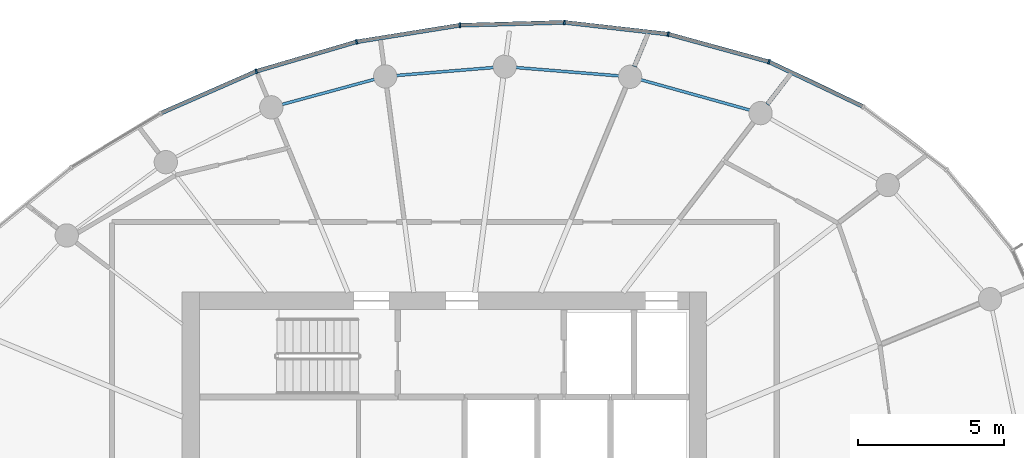
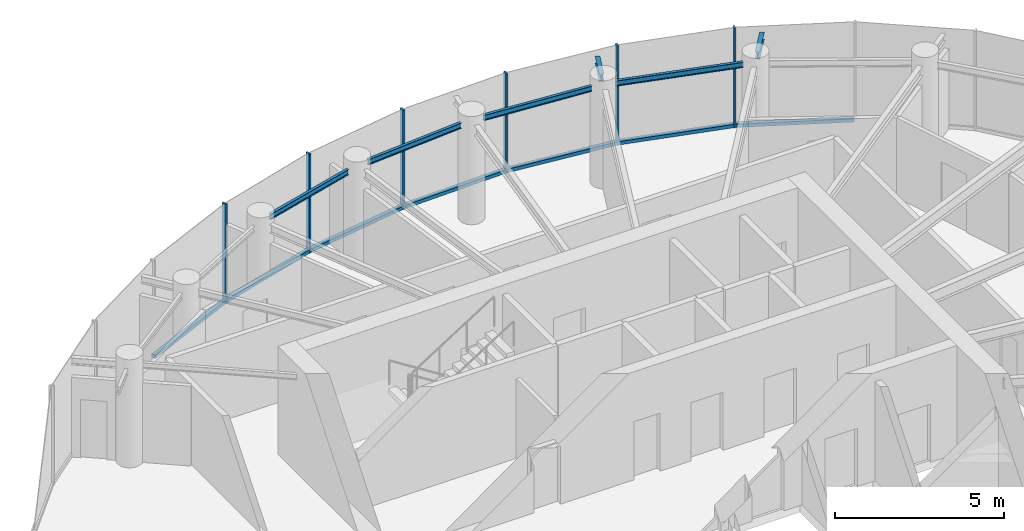
# One storey, part 6 of 13: 13 members, 6 beams, 2 elements without a shape of their own.
"""IFC4 building model written with IfcOpenShell, lengths in metres."""

import ifcopenshell
import ifcopenshell.guid

model = None  # the IFC model being written
_history = None  # IfcOwnerHistory: only IFC2X3 demands one
_inside = {}  # id of a spatial element -> (the spatial element, [elements in it])
_under = {}  # id of a project, library or spatial element -> (it, [spatial elements below it])
_declared = {}  # id of a project -> (the project, [libraries it declares])
_typed = {}  # id of a type object -> (the type object, [elements of that type])
_made_of = {}  # id of a material, layer set ... -> (it, [elements and type objects made of it])


def new_model(schema):
    """Start an empty IFC model of exactly this schema.

    Asked for "IFC4X3", IfcOpenShell would pick the latest addendum, in which some entities
    have other attributes; the version numbers below select the first issue.
    IFC2X3 requires an IfcOwnerHistory on every rooted entity: one is made here for all.
    """
    global model, _history
    if schema == "IFC4X3":
        model = ifcopenshell.file(schema_version=(4, 3, 0, 0))
    else:
        model = ifcopenshell.file(schema=schema)
    _inside.clear()
    _under.clear()
    _declared.clear()
    _typed.clear()
    _made_of.clear()
    _history = None
    if model.schema == "IFC2X3":
        org = make("IfcOrganization", Name="unknown")
        user = make(
            "IfcPersonAndOrganization",
            ThePerson=make("IfcPerson", FamilyName="unknown"),
            TheOrganization=org,
        )
        app = make(
            "IfcApplication",
            ApplicationDeveloper=org,
            Version="unknown",
            ApplicationFullName="unknown",
            ApplicationIdentifier="unknown",
        )
        _history = make(
            "IfcOwnerHistory",
            OwningUser=user,
            OwningApplication=app,
            ChangeAction="ADDED",
            CreationDate=0,
        )
    return model


def make(cls, **values):
    """One entity of the class cls with the attributes given. An attribute that is None is left unset."""
    return model.create_entity(
        cls, **{name: value for name, value in values.items() if value is not None}
    )


def rooted(cls, **values):
    """An entity with a GlobalId (a new one), such as an element, a storey or a relation."""
    return make(cls, GlobalId=ifcopenshell.guid.new(), OwnerHistory=_history, **values)


def si_unit(unit_type, name, prefix=None):
    """IfcSIUnit, for example si_unit("LENGTHUNIT", "METRE", prefix="MILLI")."""
    return make("IfcSIUnit", UnitType=unit_type, Prefix=prefix, Name=name)


def assignment(units):
    """IfcUnitAssignment: the units of a project."""
    return None if units is None else make("IfcUnitAssignment", Units=units)


def point(xyz):
    """IfcCartesianPoint."""
    return None if xyz is None else make("IfcCartesianPoint", Coordinates=xyz)


def direction(xyz):
    """IfcDirection."""
    return None if xyz is None else make("IfcDirection", DirectionRatios=xyz)


def frame(location, z_axis=None, x_axis=None):
    """IfcAxis2Placement3D, a coordinate frame: its origin and axes. An axis left out is left unset."""
    return make(
        "IfcAxis2Placement3D",
        Location=point(location),
        Axis=direction(z_axis),
        RefDirection=direction(x_axis),
    )


def frame_2d(location, x_axis=None):
    """IfcAxis2Placement2D, a coordinate frame in the plane: its origin and x axis."""
    return make(
        "IfcAxis2Placement2D", Location=point(location), RefDirection=direction(x_axis)
    )


def origin():
    """The frame at (0, 0, 0) with its axes left unset."""
    return frame((0.0, 0.0, 0.0))


def origin_2d():
    """The frame at (0, 0) in the plane with its x axis left unset."""
    return frame_2d((0.0, 0.0))


def place(relative_to, where):
    """IfcLocalPlacement: puts the frame where relative to a parent placement (None: the world)."""
    return make(
        "IfcLocalPlacement", PlacementRelTo=relative_to, RelativePlacement=where
    )


def context(
    kind, dimensions, precision=None, world=None, true_north=None, identifier=None
):
    """IfcGeometricRepresentationContext, for example the 3D "Model" context."""
    return make(
        "IfcGeometricRepresentationContext",
        ContextIdentifier=identifier,
        ContextType=kind,
        CoordinateSpaceDimension=dimensions,
        Precision=precision,
        WorldCoordinateSystem=world,
        TrueNorth=true_north,
    )


def subcontext(parent, identifier, kind, view, scale=None):
    """IfcGeometricRepresentationSubContext, for example "Body" below "Model"."""
    return make(
        "IfcGeometricRepresentationSubContext",
        ContextIdentifier=identifier,
        ContextType=kind,
        ParentContext=parent,
        TargetScale=scale,
        TargetView=view,
    )


def project(units=None, contexts=None):
    """IfcProject with its units and contexts."""
    return rooted(
        "IfcProject",
        Name="project",
        RepresentationContexts=contexts,
        UnitsInContext=assignment(units),
    )


def spatial(cls, under=None, at=None, **own):
    """A site, building, storey or space (cls), placed at a placement, below another one or the project."""
    s = rooted(cls, ObjectPlacement=at, **own)
    if under is not None:
        _under.setdefault(under.id(), (under, []))[1].append(s)
    return s


def profile(cls, at=None, kind="AREA", **sizes):
    """A parametric profile (cls). Its sizes go by their IFC names, for example OverallWidth=200.0."""
    return make(cls, ProfileType=kind, Position=at, **sizes)


def rectangle(**sizes):
    """IfcRectangleProfileDef."""
    return profile("IfcRectangleProfileDef", **sizes)


def i_section(**sizes):
    """IfcIShapeProfileDef."""
    return profile("IfcIShapeProfileDef", **sizes)


def extrude(swept, where, along, depth):
    """IfcExtrudedAreaSolid: the profile swept, set in the frame where, extruded along a direction by depth."""
    return make(
        "IfcExtrudedAreaSolid",
        SweptArea=swept,
        Position=where,
        ExtrudedDirection=direction(along),
        Depth=depth,
    )


def shape(context_of_items, identifier, shape_type, items):
    """IfcShapeRepresentation: the items that make up one representation, for example the "Body"."""
    return make(
        "IfcShapeRepresentation",
        ContextOfItems=context_of_items,
        RepresentationIdentifier=identifier,
        RepresentationType=shape_type,
        Items=items,
    )


def source(mapping_origin, context_of_items, identifier, shape_type, items):
    """IfcRepresentationMap: a shape defined once, which mapped items show again and again."""
    return make(
        "IfcRepresentationMap",
        MappingOrigin=mapping_origin,
        MappedRepresentation=shape(context_of_items, identifier, shape_type, items),
    )


def transform(
    local_origin,
    x_axis=None,
    y_axis=None,
    z_axis=None,
    scale=None,
    scale2=None,
    scale3=None,
    uniform=True,
):
    """IfcCartesianTransformationOperator3D, or its non-uniform kind. x_axis, y_axis, z_axis: its Axis1, 2, 3."""
    if uniform:
        return make(
            "IfcCartesianTransformationOperator3D",
            Axis1=direction(x_axis),
            Axis2=direction(y_axis),
            LocalOrigin=point(local_origin),
            Scale=scale,
            Axis3=direction(z_axis),
        )
    return make(
        "IfcCartesianTransformationOperator3DnonUniform",
        Axis1=direction(x_axis),
        Axis2=direction(y_axis),
        LocalOrigin=point(local_origin),
        Scale=scale,
        Axis3=direction(z_axis),
        Scale2=scale2,
        Scale3=scale3,
    )


def mapped(mapping_source, mapping_target):
    """IfcMappedItem: shows the shape of a source again, moved by a transform."""
    return make(
        "IfcMappedItem", MappingSource=mapping_source, MappingTarget=mapping_target
    )


def material(Name=None, Category=None):
    """IfcMaterial."""
    return make("IfcMaterial", Name=Name, Category=Category)


def layer(
    of_material, thickness, ventilated=None, Name=None, Category=None, Priority=None
):
    """IfcMaterialLayer: one layer of a wall or slab, of a material (None: an air gap)."""
    return make(
        "IfcMaterialLayer",
        Material=of_material,
        LayerThickness=thickness,
        IsVentilated=ventilated,
        Name=Name,
        Category=Category,
        Priority=Priority,
    )


def layer_set(layers, Name=None):
    """IfcMaterialLayerSet."""
    return make("IfcMaterialLayerSet", MaterialLayers=layers, LayerSetName=Name)


def material_profile(
    of_material, cross_section, Name=None, Category=None, Priority=None
):
    """IfcMaterialProfile: a cross section and its material."""
    return make(
        "IfcMaterialProfile",
        Name=Name,
        Material=of_material,
        Profile=cross_section,
        Priority=Priority,
        Category=Category,
    )


def profile_set(profiles, Name=None, composite=None):
    """IfcMaterialProfileSet."""
    return make(
        "IfcMaterialProfileSet",
        Name=Name,
        MaterialProfiles=profiles,
        CompositeProfile=composite,
    )


def made_of(thing, what):
    """Note that an element or type object is made of a material, layer set ...; save() writes the relation."""
    if what is not None:
        _made_of.setdefault(what.id(), (what, []))[1].append(thing)
    return thing


def type_object(cls, material=None, **own):
    """A type object (cls), such as IfcWallType, which elements share."""
    return made_of(rooted(cls, **own), material)


def element(
    cls,
    number,
    at=None,
    inside=None,
    cuts=None,
    type_object=None,
    material=None,
    context=None,
    identifier="Body",
    shape_type=None,
    held_by="IfcProductDefinitionShape",
    body=None,
    shapes=None,
    **own,
):
    """One element of the class cls, such as IfcWall. Its Tag is "e" and its number.

    at: its placement. inside: the storey or other place that contains it. cuts: it is an
    opening in that element (IfcRelVoidsElement). A single representation is given by context,
    identifier, shape_type and body (its items); several are given by shapes. held_by: the class
    of the entity that holds the representations. save() writes the other relations.
    """
    e = rooted(cls, Tag="e%d" % number, ObjectPlacement=at, **own)
    if body is not None:
        shapes = [shape(context, identifier, shape_type, body)]
    if shapes is not None:
        e.Representation = make(held_by, Representations=shapes)
    if inside is not None:
        _inside.setdefault(inside.id(), (inside, []))[1].append(e)
    if cuts is not None:
        rooted(
            "IfcRelVoidsElement", RelatingBuildingElement=cuts, RelatedOpeningElement=e
        )
    if type_object is not None:
        _typed.setdefault(type_object.id(), (type_object, []))[1].append(e)
    return made_of(e, material)


def aggregate(whole, parts):
    """IfcRelAggregates: a whole, such as a stair, and the parts it consists of."""
    return rooted("IfcRelAggregates", RelatingObject=whole, RelatedObjects=parts)


def save(model, path):
    """Write the relations noted so far, then the file.

    IfcRelAggregates (storeys below a building ...), IfcRelContainedInSpatialStructure (elements
    in a storey), IfcRelDefinesByType, IfcRelAssociatesMaterial and IfcRelDeclares: one each for
    every whole, place, type object, material and project.
    """
    for whole, parts in _under.values():
        aggregate(whole, parts)
    for where, things in _inside.values():
        rooted(
            "IfcRelContainedInSpatialStructure",
            RelatedElements=things,
            RelatingStructure=where,
        )
    for kind, things in _typed.values():
        rooted("IfcRelDefinesByType", RelatedObjects=things, RelatingType=kind)
    for what, things in _made_of.values():
        rooted("IfcRelAssociatesMaterial", RelatedObjects=things, RelatingMaterial=what)
    for by, libraries in _declared.values():
        rooted("IfcRelDeclares", RelatingContext=by, RelatedDefinitions=libraries)
    model.write(path)


model = new_model("IFC4")

# Units and contexts
model_context = context("Model", 3, precision=1e-05, world=origin(), true_north=direction((0.0, 1.0)))
body_context = subcontext(model_context, "Body", "Model", "MODEL_VIEW")
ifc_project = project(units=[si_unit("LENGTHUNIT", "METRE"), si_unit("AREAUNIT", "SQUARE_METRE"), si_unit("VOLUMEUNIT", "CUBIC_METRE"), si_unit("PLANEANGLEUNIT", "RADIAN"), si_unit("MASSUNIT", "GRAM", prefix="KILO")], contexts=[model_context])

# Site, building, storey
site_placement = place(None, origin())
site = spatial("IfcSite", under=ifc_project, at=site_placement, CompositionType="ELEMENT")
building_placement = place(site_placement, origin())
building = spatial("IfcBuilding", under=site, at=building_placement, Name="Spindrift Exchange Tower", CompositionType="ELEMENT")
storey_placement = place(building_placement, frame((0.0, 0.0, 254.0)))
storey = spatial("IfcBuildingStorey", under=building, at=storey_placement, Name="L62", CompositionType="ELEMENT", Elevation=254.0)

# Beams
ifc_material_1 = material(Name="Steel Grade 300", Category="steel")
ifc_material_profile_1 = material_profile(ifc_material_1, i_section(OverallWidth=0.09912109375, OverallDepth=0.197998046875, WebThickness=0.00439453125, FlangeThickness=0.007080078125, FilletRadius=0.010986328125, at=origin_2d()), Name="200UB18.2")
ifc_profile_set_1 = profile_set([ifc_material_profile_1], Name="Steel Grade 300")
beam_type_1 = type_object("IfcBeamType", Name="Edge Beam 200UB18.2 Steel Grade 300", PredefinedType="SPANDREL", material=ifc_profile_set_1)
shared_shape_1 = source(origin(), body_context, "Body", "SweptSolid", [
    extrude(i_section(OverallWidth=0.09912109375, OverallDepth=0.197998046875, WebThickness=0.00439453125, FlangeThickness=0.007080078125, FilletRadius=0.010986328125, at=origin_2d()), origin(), (0.0, 0.0, 1.0), 3.885498046875),
])
beam_1_placement = place(storey_placement, frame((62.480712890625, 62.238037109375, 3.48095703125), z_axis=(-0.963333134661, 0.268308165482, 0.0), x_axis=(-0.268308165482, -0.963333134661, 0.0)))
element("IfcBeam", 1, at=beam_1_placement, inside=storey, type_object=beam_type_1, Name="L62 edge beam E04", PredefinedType="SPANDREL", context=body_context, shape_type="MappedRepresentation", body=[
    mapped(shared_shape_1, transform((0.0, 0.0, 0.0), scale=1.0)),
])
shared_shape_2 = source(origin(), body_context, "Body", "SweptSolid", [
    extrude(i_section(OverallWidth=0.09912109375, OverallDepth=0.197998046875, WebThickness=0.00439453125, FlangeThickness=0.007080078125, FilletRadius=0.010986328125, at=origin_2d()), origin(), (0.0, 0.0, 1.0), 3.5546875),
])
beam_2_placement = place(storey_placement, frame((57.992919921875, 63.413330078125, 3.48095703125), z_axis=(-0.996727103969, 0.080839842983, 0.0), x_axis=(-0.080839842983, -0.996727103969, 0.0)))
element("IfcBeam", 2, at=beam_2_placement, inside=storey, type_object=beam_type_1, Name="L62 edge beam E05", PredefinedType="SPANDREL", context=body_context, shape_type="MappedRepresentation", body=[
    mapped(shared_shape_2, transform((0.0, 0.0, 0.0), scale=1.0)),
])
shared_shape_3 = source(origin(), body_context, "Body", "SweptSolid", [
    extrude(i_section(OverallWidth=0.09912109375, OverallDepth=0.197998046875, WebThickness=0.00439453125, FlangeThickness=0.007080078125, FilletRadius=0.010986328125, at=origin_2d()), origin(), (0.0, 0.0, 1.0), 3.351806640625),
])
beam_3_placement = place(storey_placement, frame((53.6923828125, 63.7001953125, 3.48095703125), z_axis=(-0.996672670999, -0.081508201334, 0.0), x_axis=(0.081508201334, -0.996672670999, 0.0)))
element("IfcBeam", 3, at=beam_3_placement, inside=storey, type_object=beam_type_1, Name="L62 edge beam E06", PredefinedType="SPANDREL", context=body_context, shape_type="MappedRepresentation", body=[
    mapped(shared_shape_3, transform((0.0, 0.0, 0.0), scale=1.0)),
])
shared_shape_4 = source(origin(), body_context, "Body", "SweptSolid", [
    extrude(i_section(OverallWidth=0.09912109375, OverallDepth=0.197998046875, WebThickness=0.00439453125, FlangeThickness=0.007080078125, FilletRadius=0.010986328125, at=origin_2d()), origin(), (0.0, 0.0, 1.0), 3.2919921875),
])
beam_4_placement = place(storey_placement, frame((49.6064453125, 63.29638671875, 3.48095703125), z_axis=(-0.965045644564, -0.262081864896, 0.0), x_axis=(0.262081864896, -0.965045644564, 0.0)))
element("IfcBeam", 4, at=beam_4_placement, inside=storey, type_object=beam_type_1, Name="L62 edge beam E07", PredefinedType="SPANDREL", context=body_context, shape_type="MappedRepresentation", body=[
    mapped(shared_shape_4, transform((0.0, 0.0, 0.0), scale=1.0)),
])
ifc_material_profile_2 = material_profile(ifc_material_1, i_section(OverallWidth=0.14599609375, OverallDepth=0.251953125, WebThickness=0.006103515625, FlangeThickness=0.008544921875, FilletRadius=0.011962890625, at=origin_2d()), Name="250UB31.4")
ifc_profile_set_2 = profile_set([ifc_material_profile_2], Name="Steel Grade 300")
beam_type_2 = type_object("IfcBeamType", Name="Cantilever Beam 250UB31.4 Steel Grade 300", PredefinedType="BEAM", material=ifc_profile_set_2)
shared_shape_5 = source(origin(), body_context, "Body", "SweptSolid", [
    extrude(i_section(OverallWidth=0.14599609375, OverallDepth=0.251953125, WebThickness=0.006103515625, FlangeThickness=0.008544921875, FilletRadius=0.011962890625, at=origin_2d()), origin(), (0.0, 0.0, 1.0), 1.0517578125),
])
beam_5_placement = place(storey_placement, frame((63.078369140625, 62.4375, 3.4541015625), z_axis=(0.608655693702, 0.793434462652, 0.0), x_axis=(-0.793434462652, 0.608655693702, 0.0)))
element("IfcBeam", 5, at=beam_5_placement, inside=storey, type_object=beam_type_2, Name="L62 cantilever beam R04T", PredefinedType="BEAM", context=body_context, shape_type="MappedRepresentation", body=[
    mapped(shared_shape_5, transform((0.0, 0.0, 0.0), scale=1.0)),
])
shared_shape_6 = source(origin(), body_context, "Body", "SweptSolid", [
    extrude(i_section(OverallWidth=0.14599609375, OverallDepth=0.251953125, WebThickness=0.006103515625, FlangeThickness=0.008544921875, FilletRadius=0.011962890625, at=origin_2d()), origin(), (0.0, 0.0, 1.0), 0.969970703125),
])
beam_6_placement = place(storey_placement, frame((58.51708984375, 63.733642578125, 3.4541015625), z_axis=(0.382559262463, 0.923930955593, 0.0), x_axis=(-0.923930955593, 0.382559262463, 0.0)))
element("IfcBeam", 6, at=beam_6_placement, inside=storey, type_object=beam_type_2, Name="L62 cantilever beam R05T", PredefinedType="BEAM", context=body_context, shape_type="MappedRepresentation", body=[
    mapped(shared_shape_6, transform((0.0, 0.0, 0.0), scale=1.0)),
])

# Curtain wall, members
ifc_material_2 = material(Name="Fritted laminated glass with bronze frame", Category="glass")
ifc_layer = layer(ifc_material_2, 0.159912109375)
ifc_layer_set = layer_set([ifc_layer], Name="ZONE 5 BRONZE FRITTED WALL")
curtain_wall_type = type_object("IfcCurtainWallType", Name="ZONE 5 BRONZE FRITTED WALL", PredefinedType="NOTDEFINED", material=ifc_layer_set)
curtain_wall_1_placement = place(storey_placement, origin())
curtain_wall_1 = element("IfcCurtainWall", 7, at=curtain_wall_1_placement, inside=storey, type_object=curtain_wall_type, Name="L62 Zone 5 Bronze Fritted Wall run 1", PredefinedType="NOTDEFINED")
ifc_material_3 = material(Name="Bronze anodised aluminium", Category="aluminium")
ifc_material_profile_3 = material_profile(ifc_material_3, rectangle(XDim=0.06005859375, YDim=0.159912109375, at=origin_2d()), Name="ZONE 5 BRONZE FRITTED WALL MULLION 60X160")
ifc_profile_set_3 = profile_set([ifc_material_profile_3], Name="Bronze anodised aluminium")
member_type_1 = type_object("IfcMemberType", Name="ZONE 5 BRONZE FRITTED WALL MULLION 60X160", PredefinedType="MULLION", material=ifc_profile_set_3)
shared_shape_7 = source(origin(), body_context, "Body", "SweptSolid", [
    extrude(rectangle(XDim=0.06005859375, YDim=0.159912109375, at=origin_2d()), origin(), (0.0, 0.0, 1.0), 3.580078125),
])
member_1_placement = place(storey_placement, frame((63.135498046875, 63.896484375, 0.0), z_axis=(0.0, 0.0, 1.0), x_axis=(-0.937329695173, 0.348443743733, 0.0)))
member_1 = element("IfcMember", 8, at=member_1_placement, type_object=member_type_1, Name="L62 mullion CW-5.5", PredefinedType="MULLION", context=body_context, shape_type="MappedRepresentation", body=[
    mapped(shared_shape_7, transform((0.0, 0.0, 0.0), scale=1.0)),
])
member_2_placement = place(storey_placement, frame((59.6787109375, 64.845458984375, 0.0), z_axis=(0.0, 0.0, 1.0), x_axis=(-0.98192170631, 0.189287513264, 0.0)))
member_2 = element("IfcMember", 9, at=member_2_placement, type_object=member_type_1, Name="L62 mullion CW-5.6", PredefinedType="MULLION", context=body_context, shape_type="MappedRepresentation", body=[
    mapped(shared_shape_7, transform((0.0, 0.0, 0.0), scale=1.0)),
])

curtain_wall_2_placement = place(storey_placement, origin())
curtain_wall_2 = element("IfcCurtainWall", 10, at=curtain_wall_2_placement, inside=storey, type_object=curtain_wall_type, Name="L62 Zone 5 Bronze Fritted Wall run 2", PredefinedType="NOTDEFINED")
member_3_placement = place(storey_placement, frame((56.115966796875, 65.24951171875, 0.0), z_axis=(0.0, 0.0, 1.0), x_axis=(-0.999088156549, 0.042694911209, 0.0)))
member_3 = element("IfcMember", 11, at=member_3_placement, type_object=member_type_1, Name="L62 mullion CW-5.7", PredefinedType="MULLION", context=body_context, shape_type="MappedRepresentation", body=[
    mapped(shared_shape_7, transform((0.0, 0.0, 0.0), scale=1.0)),
])
member_4_placement = place(storey_placement, frame((52.53125, 65.15087890625, 0.0), z_axis=(0.0, 0.0, 1.0), x_axis=(-0.99565556002, -0.093112865929, 0.0)))
member_4 = element("IfcMember", 12, at=member_4_placement, type_object=member_type_1, Name="L62 mullion CW-5.8", PredefinedType="MULLION", context=body_context, shape_type="MappedRepresentation", body=[
    mapped(shared_shape_7, transform((0.0, 0.0, 0.0), scale=1.0)),
])
member_5_placement = place(storey_placement, frame((48.990234375, 64.5830078125, 0.0), z_axis=(0.0, 0.0, 1.0), x_axis=(-0.975338045302, -0.220716327867, 0.0)))
member_5 = element("IfcMember", 13, at=member_5_placement, type_object=member_type_1, Name="L62 mullion CW-5.9", PredefinedType="MULLION", context=body_context, shape_type="MappedRepresentation", body=[
    mapped(shared_shape_7, transform((0.0, 0.0, 0.0), scale=1.0)),
])
member_6_placement = place(storey_placement, frame((45.5498046875, 63.57080078125, 0.0), z_axis=(0.0, 0.0, 1.0), x_axis=(-0.939469047933, -0.342633781137, 0.0)))
member_6 = element("IfcMember", 14, at=member_6_placement, type_object=member_type_1, Name="L62 mullion CW-5.10", PredefinedType="MULLION", context=body_context, shape_type="MappedRepresentation", body=[
    mapped(shared_shape_7, transform((0.0, 0.0, 0.0), scale=1.0)),
])
ifc_material_profile_4 = material_profile(ifc_material_3, rectangle(XDim=0.139892578125, YDim=0.1201171875, at=origin_2d()), Name="ZONE 5 BRONZE FRITTED WALL TRANSOM 140X120")
ifc_profile_set_4 = profile_set([ifc_material_profile_4], Name="Bronze anodised aluminium")
member_type_2 = type_object("IfcMemberType", Name="ZONE 5 BRONZE FRITTED WALL TRANSOM 140X120", PredefinedType="USERDEFINED", material=ifc_profile_set_4)
shared_shape_8 = source(origin(), body_context, "Body", "SweptSolid", [
    extrude(rectangle(XDim=0.139892578125, YDim=0.1201171875, at=origin_2d()), origin(), (0.0, 0.0, 1.0), 3.52587890625),
])
member_7_placement = place(storey_placement, frame((56.0859375, 65.248779296875, 0.06005859375), z_axis=(-0.999620217652, -0.027557584445, 0.0), x_axis=(0.027557584445, -0.999620217652, 0.0)))
member_7 = element("IfcMember", 15, at=member_7_placement, type_object=member_type_2, Name="L62 transom CW-5.7", ObjectType="TRANSOM", PredefinedType="USERDEFINED", context=body_context, shape_type="MappedRepresentation", body=[
    mapped(shared_shape_8, transform((0.0, 0.0, 0.0), scale=1.0)),
])
shared_shape_9 = source(origin(), body_context, "Body", "SweptSolid", [
    extrude(rectangle(XDim=0.139892578125, YDim=0.1201171875, at=origin_2d()), origin(), (0.0, 0.0, 1.0), 3.526123046875),
])
member_8_placement = place(storey_placement, frame((52.501708984375, 65.14599609375, 0.06005859375), z_axis=(-0.987394792201, -0.158276733397, 0.0), x_axis=(0.158276733397, -0.987394792201, 0.0)))
member_8 = element("IfcMember", 16, at=member_8_placement, type_object=member_type_2, Name="L62 transom CW-5.8", ObjectType="TRANSOM", PredefinedType="USERDEFINED", context=body_context, shape_type="MappedRepresentation", body=[
    mapped(shared_shape_9, transform((0.0, 0.0, 0.0), scale=1.0)),
])
member_9_placement = place(storey_placement, frame((48.96142578125, 64.57470703125, 0.06005859375), z_axis=(-0.959333523391, -0.282275027054, 0.0), x_axis=(0.282275027054, -0.959333523391, 0.0)))
member_9 = element("IfcMember", 17, at=member_9_placement, type_object=member_type_2, Name="L62 transom CW-5.9", ObjectType="TRANSOM", PredefinedType="USERDEFINED", context=body_context, shape_type="MappedRepresentation", body=[
    mapped(shared_shape_9, transform((0.0, 0.0, 0.0), scale=1.0)),
])
member_10_placement = place(storey_placement, frame((45.522216796875, 63.558837890625, 0.06005859375), z_axis=(-0.915796251098, -0.401643158133, 0.0), x_axis=(0.401643158133, -0.915796251098, 0.0)))
member_10 = element("IfcMember", 18, at=member_10_placement, type_object=member_type_2, Name="L62 transom CW-5.10", ObjectType="TRANSOM", PredefinedType="USERDEFINED", context=body_context, shape_type="MappedRepresentation", body=[
    mapped(shared_shape_9, transform((0.0, 0.0, 0.0), scale=1.0)),
])
aggregate(curtain_wall_2, [member_3, member_7, member_4, member_8, member_5, member_9, member_6, member_10])

# Member
shared_shape_10 = source(origin(), body_context, "Body", "SweptSolid", [
    extrude(rectangle(XDim=0.139892578125, YDim=0.1201171875, at=origin_2d()), origin(), (0.0, 0.0, 1.0), 3.5234375),
])
member_11_placement = place(storey_placement, frame((66.344482421875, 62.370361328125, 0.06005859375), z_axis=(-0.903080699714, 0.429470895176, 0.0), x_axis=(-0.429470895176, -0.903080699714, 0.0)))
member_11 = element("IfcMember", 19, at=member_11_placement, type_object=member_type_2, Name="L62 transom CW-5.4", ObjectType="TRANSOM", PredefinedType="USERDEFINED", context=body_context, shape_type="MappedRepresentation", body=[
    mapped(shared_shape_10, transform((0.0, 0.0, 0.0), scale=1.0)),
])

shared_shape_11 = source(origin(), body_context, "Body", "SweptSolid", [
    extrude(rectangle(XDim=0.139892578125, YDim=0.1201171875, at=origin_2d()), origin(), (0.0, 0.0, 1.0), 3.525634765625),
])
member_12_placement = place(storey_placement, frame((59.64892578125, 64.848876953125, 0.06005859375), z_axis=(-0.993632945049, 0.112665746853, 0.0), x_axis=(-0.112665746853, -0.993632945049, 0.0)))
member_12 = element("IfcMember", 20, at=member_12_placement, type_object=member_type_2, Name="L62 transom CW-5.6", ObjectType="TRANSOM", PredefinedType="USERDEFINED", context=body_context, shape_type="MappedRepresentation", body=[
    mapped(shared_shape_11, transform((0.0, 0.0, 0.0), scale=1.0)),
])

shared_shape_12 = source(origin(), body_context, "Body", "SweptSolid", [
    extrude(rectangle(XDim=0.139892578125, YDim=0.1201171875, at=origin_2d()), origin(), (0.0, 0.0, 1.0), 3.52490234375),
])
member_13_placement = place(storey_placement, frame((63.106689453125, 63.904296875, 0.06005859375), z_axis=(-0.964326147917, 0.264716981781, 0.0), x_axis=(-0.264716981781, -0.964326147917, 0.0)))
member_13 = element("IfcMember", 21, at=member_13_placement, type_object=member_type_2, Name="L62 transom CW-5.5", ObjectType="TRANSOM", PredefinedType="USERDEFINED", context=body_context, shape_type="MappedRepresentation", body=[
    mapped(shared_shape_12, transform((0.0, 0.0, 0.0), scale=1.0)),
])

aggregate(curtain_wall_1, [member_11, member_1, member_13, member_2, member_12])

save(model, "model.ifc")
